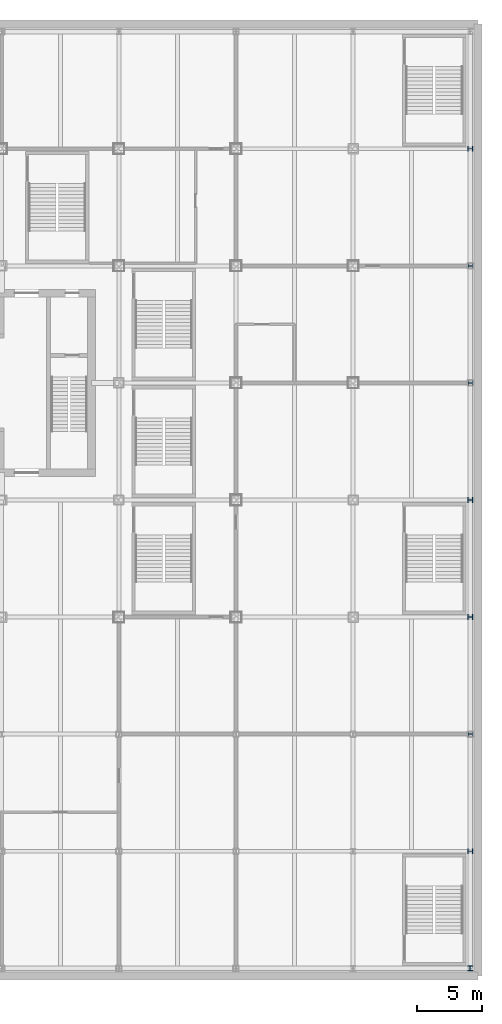
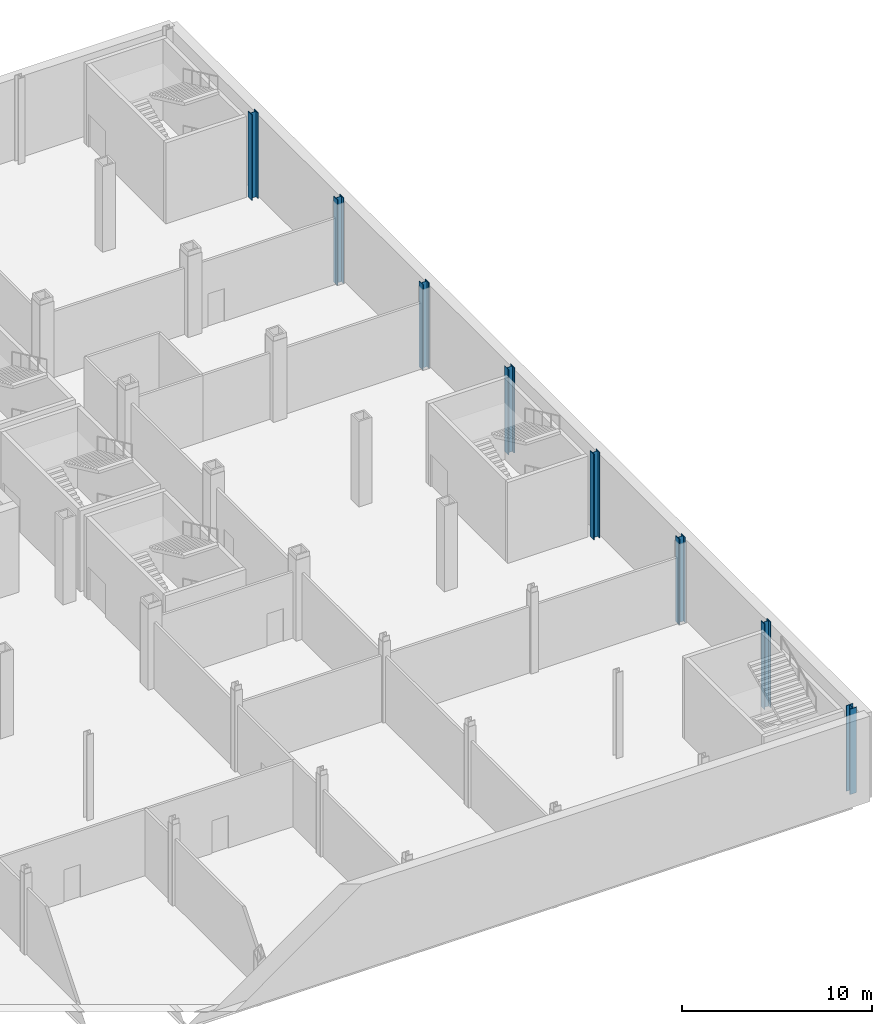
# One storey, part 3 of 27: 8 columns.
"""IFC4 building model written with IfcOpenShell, lengths in metres."""

from ifc_helpers import new_model, si_unit, direction, frame, origin, origin_2d, place, context, subcontext, project, spatial, i_section, extrude, material, material_profile, profile_set, type_object, element, save


model = new_model("IFC4")

# Units and contexts
model_context = context("Model", 3, precision=1e-05, world=origin(), true_north=direction((0.0, 1.0)))
body_context = subcontext(model_context, "Body", "Model", "MODEL_VIEW")
ifc_project = project(units=[si_unit("LENGTHUNIT", "METRE"), si_unit("AREAUNIT", "SQUARE_METRE"), si_unit("VOLUMEUNIT", "CUBIC_METRE"), si_unit("PLANEANGLEUNIT", "RADIAN"), si_unit("MASSUNIT", "GRAM", prefix="KILO")], contexts=[model_context])

# Site, building, storey
site_placement = place(None, origin())
site = spatial("IfcSite", under=ifc_project, at=site_placement, CompositionType="ELEMENT")
building_placement = place(site_placement, origin())
building = spatial("IfcBuilding", under=site, at=building_placement, Name="Loomwork Tower", CompositionType="ELEMENT")
storey_placement = place(building_placement, frame((0.0, 0.0, -5.5)))
storey = spatial("IfcBuildingStorey", under=building, at=storey_placement, Name="B1", CompositionType="ELEMENT", Elevation=-5.5)

# Columns
ifc_material = material(Name="Steel ASTM A992", Category="steel")
ifc_material_profile = material_profile(ifc_material, i_section(OverallWidth=0.4013671875, OverallDepth=0.398681640625, WebThickness=0.02490234375, FlangeThickness=0.03955078125, at=origin_2d()), Name="W14x211")
ifc_profile_set = profile_set([ifc_material_profile], Name="Steel ASTM A992")
column_type = type_object("IfcColumnType", Name="PODIUM COLUMN W14x211", PredefinedType="COLUMN", material=ifc_profile_set)
for number, where, z_axis, x_axis, name in (
    (1, (63.0, -27.0, 0.0), (0.0, 0.0, 1.0), (1.0, 0.0, 0.0), "Podium Column A/9 B1"),
    (2, (63.0, -18.0, 0.0), (0.0, 0.0, 1.0), (0.0, 1.0, 0.0), "Podium Column B/9 B1"),
    (3, (63.0, -9.0, 0.0), (0.0, 0.0, 1.0), (0.0, 1.0, 0.0), "Podium Column C/9 B1"),
    (4, (63.0, 0.0, 0.0), (0.0, 0.0, 1.0), (0.0, 1.0, 0.0), "Podium Column D/9 B1"),
    (5, (63.0, 9.0, 0.0), (0.0, 0.0, 1.0), (0.0, 1.0, 0.0), "Podium Column E/9 B1"),
    (6, (63.0, 18.0, 0.0), (0.0, 0.0, 1.0), (0.0, 1.0, 0.0), "Podium Column F/9 B1"),
    (7, (63.0, 27.0, 0.0), (0.0, 0.0, 1.0), (0.0, 1.0, 0.0), "Podium Column G/9 B1"),
    (8, (63.0, 36.0, 0.0), (0.0, 0.0, 1.0), (0.0, 1.0, 0.0), "Podium Column H/9 B1"),
):
    element("IfcColumn", number, at=place(storey_placement, frame(where, z_axis=z_axis, x_axis=x_axis)), inside=storey, type_object=column_type, Name=name, PredefinedType="COLUMN", context=body_context, shape_type="SweptSolid", body=[
        extrude(i_section(OverallWidth=0.4013671875, OverallDepth=0.398681640625, WebThickness=0.02490234375, FlangeThickness=0.03955078125, at=origin_2d()), origin(), (0.0, 0.0, 1.0), 5.5),
    ])

save(model, "model.ifc")
